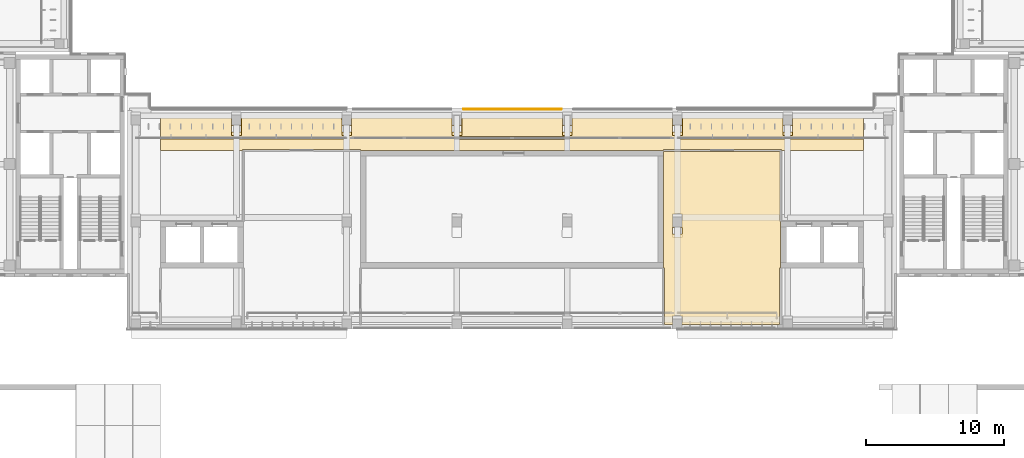
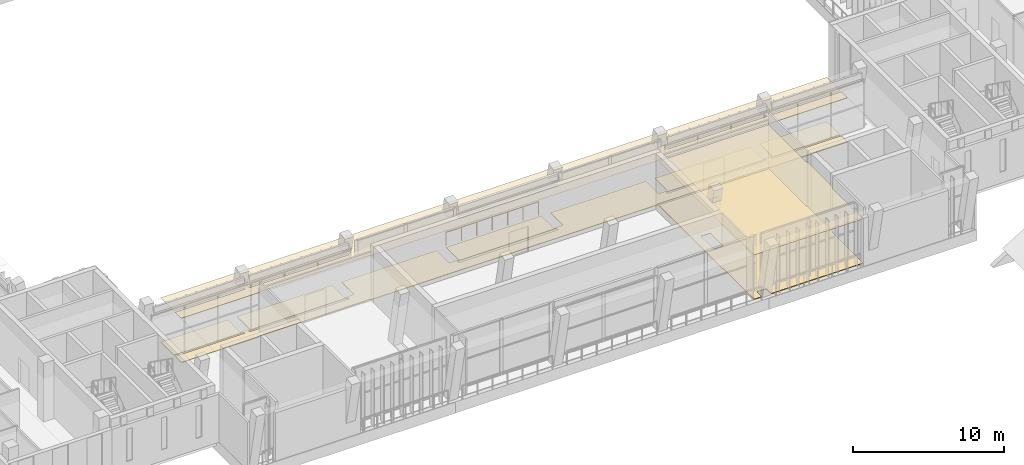
# One storey, part 56 of 74: 4 coverings, 1 railing.
"""IFC4 building model written with IfcOpenShell, lengths in metres."""

from ifc_helpers import new_model, si_unit, direction, frame, origin, origin_2d, place, context, subcontext, project, spatial, polyline, circle, outline, extrude, material, layer, layer_set, type_object, element, save


model = new_model("IFC4")

# Units and contexts
model_context = context("Model", 3, precision=1e-05, world=origin(), true_north=direction((0.0, 1.0)))
body_context = subcontext(model_context, "Body", "Model", "MODEL_VIEW")
ifc_project = project(units=[si_unit("LENGTHUNIT", "METRE"), si_unit("AREAUNIT", "SQUARE_METRE"), si_unit("VOLUMEUNIT", "CUBIC_METRE"), si_unit("PLANEANGLEUNIT", "RADIAN"), si_unit("MASSUNIT", "GRAM", prefix="KILO")], contexts=[model_context])

# Site, building, storey
site_placement = place(None, origin())
site = spatial("IfcSite", under=ifc_project, at=site_placement, CompositionType="ELEMENT")
building_placement = place(site_placement, origin())
building = spatial("IfcBuilding", under=site, at=building_placement, Name="Lantern Court Media Centre", CompositionType="ELEMENT")
storey_placement = place(building_placement, frame((0.0, 0.0, 19.199951171875)))
storey = spatial("IfcBuildingStorey", under=building, at=storey_placement, Name="L04", CompositionType="ELEMENT", Elevation=19.199951171875)

# Covering
ifc_material_1 = material(Name="Carpet")
ifc_layer_1 = layer(ifc_material_1, 0.050048828125)
ifc_layer_set_1 = layer_set([ifc_layer_1], Name="Carpet")
covering_type_1 = type_object("IfcCoveringType", Name="Carpet floor finish", PredefinedType="FLOORING", material=ifc_layer_set_1)
covering_1_placement = place(storey_placement, origin())
element("IfcCovering", 1, at=covering_1_placement, inside=storey, type_object=covering_type_1, Name="Children's and Youth Media Room floor finish", PredefinedType="FLOORING", context=body_context, shape_type="SweptSolid", body=[
    extrude(outline(polyline([(63.054931640625, 44.300048828125), (63.054931640625, 48.39990234375), (63.0048828125, 48.405029296875), (63.0048828125, 56.882568359375), (71.4326171875, 56.882568359375), (71.4326171875, 51.800048828125), (71.4951171875, 51.794921875), (71.4951171875, 48.405029296875), (71.4150390625, 48.39990234375), (71.4150390625, 44.304931640625), (64.35498046875, 44.300048828125), (64.353515625, 44.95361328125), (63.64990234375, 44.955078125), (63.64501953125, 44.300048828125), (63.054931640625, 44.300048828125)]), holes=[polyline([(63.64501953125, 50.64990234375), (64.354736328125, 50.648193359375), (64.351806640625, 52.354736328125), (63.645263671875, 52.351806640625), (63.64501953125, 50.64990234375)])]), origin(), (0.0, 0.0, 1.0), 0.050048828125),
])

# Railing
ifc_material_2 = material(Name="Powder-coated steel", Category="steel")
railing_type = type_object("IfcRailingType", Name="Floor edge guard 1100", PredefinedType="GUARDRAIL", material=ifc_material_2)
railing_placement = place(storey_placement, frame((48.48291015625, 59.93994140625, 0.0)))
element("IfcRailing", 2, at=railing_placement, inside=storey, type_object=railing_type, Name="L04 edge guard 130", PredefinedType="GUARDRAIL", context=body_context, shape_type="SweptSolid", body=[
    extrude(circle(Radius=0.02392578125, at=origin_2d()), frame((0.0, 0.0, 1.076171875), z_axis=(1.0, 0.0, 0.0), x_axis=(0.0, 1.0, 0.0)), (0.0, 0.0, 1.0), 7.09814453125),
    extrude(circle(Radius=0.02099609375, at=origin_2d()), origin(), (0.0, 0.0, 1.0), 1.052001953125),
    extrude(circle(Radius=0.02099609375, at=origin_2d()), frame((1.18310546875, 0.0, 0.0)), (0.0, 0.0, 1.0), 1.052001953125),
    extrude(circle(Radius=0.02099609375, at=origin_2d()), frame((2.365966796875, 0.0, 0.0)), (0.0, 0.0, 1.0), 1.052001953125),
    extrude(circle(Radius=0.02099609375, at=origin_2d()), frame((3.549072265625, 0.0, 0.0)), (0.0, 0.0, 1.0), 1.052001953125),
    extrude(circle(Radius=0.02099609375, at=origin_2d()), frame((4.732177734375, 0.0, 0.0)), (0.0, 0.0, 1.0), 1.052001953125),
    extrude(circle(Radius=0.02099609375, at=origin_2d()), frame((5.9150390625, 0.0, 0.0)), (0.0, 0.0, 1.0), 1.052001953125),
    extrude(circle(Radius=0.02099609375, at=origin_2d()), frame((7.09814453125, 0.0, 0.0)), (0.0, 0.0, 1.0), 1.052001953125),
])

# Coverings
ifc_material_3 = material(Name="Mineral fibre ceiling tile")
ifc_layer_2 = layer(ifc_material_3, 0.02001953125)
ifc_layer_set_2 = layer_set([ifc_layer_2], Name="Mineral fibre ceiling tile")
covering_type_2 = type_object("IfcCoveringType", Name="Suspended ceiling tile", PredefinedType="CEILING", material=ifc_layer_set_2)
covering_2_placement = place(storey_placement, frame((0.0, 0.0, 3.60009765625)))
element("IfcCovering", 3, at=covering_2_placement, inside=storey, type_object=covering_type_2, Name="Children's and Youth Media Room ceiling", PredefinedType="CEILING", context=body_context, shape_type="SweptSolid", body=[
    extrude(outline(polyline([(63.050537109375, 44.300048828125), (63.050537109375, 48.39990234375), (63.00048828125, 48.400390625), (63.00048828125, 56.886962890625), (71.43701171875, 56.886962890625), (71.43701171875, 51.800048828125), (71.49951171875, 51.799560546875), (71.49951171875, 48.400390625), (71.41943359375, 48.39990234375), (71.41943359375, 44.300537109375), (63.050537109375, 44.300048828125)]), holes=[polyline([(64.35009765625, 50.8974609375), (64.350341796875, 51.350341796875), (63.649658203125, 51.350341796875), (63.649658203125, 50.8974609375), (64.35009765625, 50.8974609375)])]), origin(), (0.0, 0.0, 1.0), 0.02001953125),
])
covering_3_placement = place(storey_placement, frame((0.0, 0.0, 3.60009765625)))
element("IfcCovering", 4, at=covering_3_placement, inside=storey, type_object=covering_type_2, Name="Corridor ceiling", PredefinedType="CEILING", context=body_context, shape_type="SweptSolid", body=[
    extrude(outline(polyline([(77.5, 56.949951171875), (71.56298828125, 56.949951171875), (71.5625, 57.012939453125), (63.0, 57.012939453125), (62.99951171875, 56.950439453125), (41.00048828125, 56.950439453125), (41.0, 57.012939453125), (32.4375, 57.012939453125), (32.43701171875, 56.949951171875), (26.5, 56.949951171875), (26.5, 57.7744140625), (31.800537109375, 57.77490234375), (31.800048828125, 57.925537109375), (26.5, 57.925537109375), (26.5, 59.699951171875), (77.5, 59.699951171875), (77.5, 57.925537109375), (72.199462890625, 57.925048828125), (72.199951171875, 57.7744140625), (77.5, 57.7744140625), (77.5, 56.949951171875)]), holes=[polyline([(72.35009765625, 58.29736328125), (72.350341796875, 58.75048828125), (71.649658203125, 58.750244140625), (71.649658203125, 58.297607421875), (72.35009765625, 58.29736328125)]), polyline([(64.199462890625, 57.77490234375), (71.800048828125, 57.7744140625), (71.800537109375, 57.925048828125), (64.199951171875, 57.925537109375), (64.199462890625, 57.77490234375)]), polyline([(64.35009765625, 58.29736328125), (64.350341796875, 58.75048828125), (63.649658203125, 58.750244140625), (63.649658203125, 58.297607421875), (64.35009765625, 58.29736328125)]), polyline([(56.3505859375, 58.75), (55.649658203125, 58.75048828125), (55.649658203125, 58.297607421875), (56.350341796875, 58.297607421875), (56.3505859375, 58.75)]), polyline([(48.199462890625, 57.75), (55.800048828125, 57.74951171875), (55.800537109375, 57.949951171875), (48.199951171875, 57.950439453125), (48.199462890625, 57.75)]), polyline([(48.35009765625, 58.29736328125), (48.350341796875, 58.75048828125), (47.649658203125, 58.750244140625), (47.649658203125, 58.297607421875), (48.35009765625, 58.29736328125)]), polyline([(40.3505859375, 58.75), (39.649658203125, 58.75048828125), (39.649658203125, 58.297607421875), (40.350341796875, 58.297607421875), (40.3505859375, 58.75)]), polyline([(32.199462890625, 57.77490234375), (39.800048828125, 57.7744140625), (39.800537109375, 57.925048828125), (32.199951171875, 57.925537109375), (32.199462890625, 57.77490234375)]), polyline([(32.3505859375, 58.75), (31.649658203125, 58.75048828125), (31.649658203125, 58.297607421875), (32.350341796875, 58.297607421875), (32.3505859375, 58.75)])]), origin(), (0.0, 0.0, 1.0), 0.02001953125),
])
ifc_material_4 = material(Name="Terrazzo")
ifc_layer_3 = layer(ifc_material_4, 0.050048828125)
ifc_layer_set_3 = layer_set([ifc_layer_3], Name="Terrazzo")
covering_type_3 = type_object("IfcCoveringType", Name="Terrazzo floor finish", PredefinedType="FLOORING", material=ifc_layer_set_3)
covering_4_placement = place(storey_placement, origin())
element("IfcCovering", 5, at=covering_4_placement, inside=storey, type_object=covering_type_3, Name="Corridor floor finish", PredefinedType="FLOORING", context=body_context, shape_type="SweptSolid", body=[
    extrude(outline(polyline([(77.5, 56.949951171875), (71.5673828125, 56.949951171875), (71.5625, 57.017578125), (63.0, 57.017578125), (62.9951171875, 56.955078125), (41.0048828125, 56.955078125), (41.0, 57.017578125), (32.4375, 57.017578125), (32.4326171875, 56.949951171875), (26.5, 56.949951171875), (26.5, 57.77001953125), (31.804931640625, 57.77490234375), (31.800048828125, 57.929931640625), (26.5, 57.929931640625), (26.5, 59.699951171875), (31.64501953125, 59.699951171875), (31.64990234375, 58.044921875), (32.354736328125, 58.048095703125), (32.35498046875, 59.699951171875), (39.64501953125, 59.699951171875), (39.64990234375, 58.044921875), (40.354736328125, 58.048095703125), (40.35498046875, 59.699951171875), (47.64501953125, 59.699951171875), (47.64990234375, 58.044921875), (48.354736328125, 58.048095703125), (48.35498046875, 59.699951171875), (55.64501953125, 59.699951171875), (55.64990234375, 58.044921875), (56.354736328125, 58.048095703125), (56.35498046875, 59.699951171875), (63.64501953125, 59.699951171875), (63.64990234375, 58.044921875), (64.354736328125, 58.048095703125), (64.35498046875, 59.699951171875), (71.64501953125, 59.699951171875), (71.64990234375, 58.044921875), (72.354736328125, 58.048095703125), (72.35498046875, 59.699951171875), (77.5, 59.699951171875), (77.5, 57.929931640625), (72.195068359375, 57.925048828125), (72.199951171875, 57.77001953125), (77.5, 57.77001953125), (77.5, 56.949951171875)]), holes=[polyline([(64.195068359375, 57.77490234375), (71.800048828125, 57.77001953125), (71.804931640625, 57.925048828125), (64.199951171875, 57.929931640625), (64.195068359375, 57.77490234375)]), polyline([(48.195068359375, 57.75), (55.800048828125, 57.7451171875), (55.804931640625, 57.949951171875), (48.199951171875, 57.955078125), (48.195068359375, 57.75)]), polyline([(32.195068359375, 57.77490234375), (39.800048828125, 57.77001953125), (39.804931640625, 57.925048828125), (32.199951171875, 57.929931640625), (32.195068359375, 57.77490234375)])]), origin(), (0.0, 0.0, 1.0), 0.050048828125),
])

save(model, "model.ifc")
